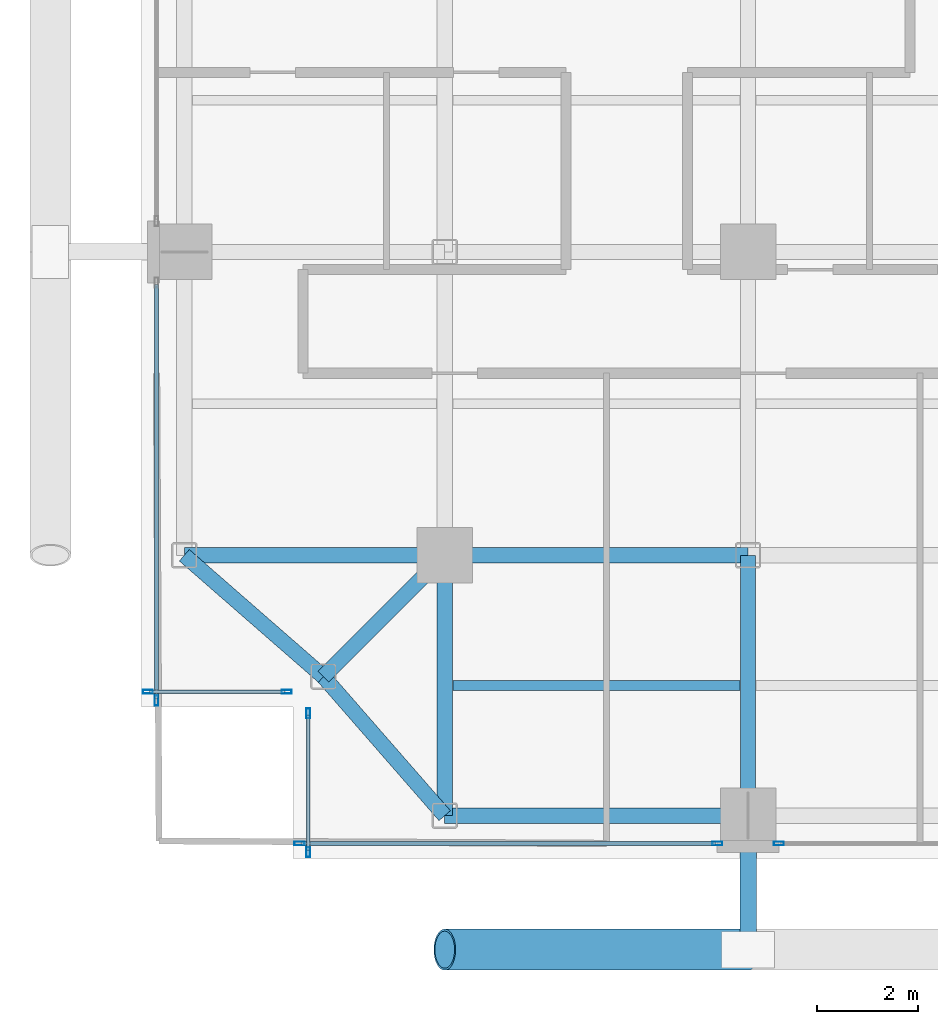
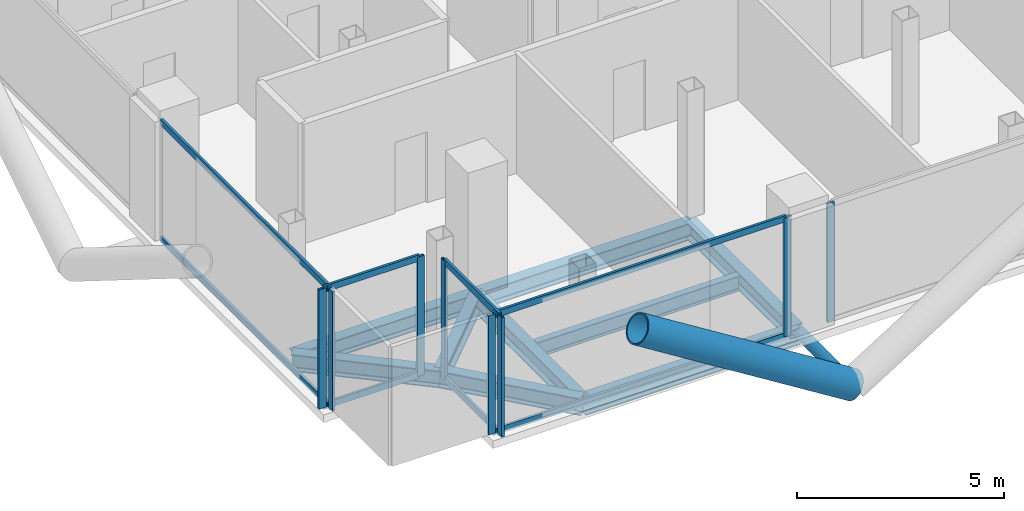
# One storey, part 2 of 28: 18 members, 9 beams, 5 elements without a shape of their own.
"""IFC4 building model written with IfcOpenShell, lengths in metres."""

from ifc_helpers import new_model, si_unit, direction, frame, origin, origin_2d, place, context, subcontext, project, spatial, hollow_rectangle, hollow_circle, i_section, extrude, material, layer, layer_set, material_profile, profile_set, type_object, element, aggregate, save


model = new_model("IFC4")

# Units and contexts
model_context = context("Model", 3, precision=1e-05, world=origin(), true_north=direction((0.0, 1.0)))
body_context = subcontext(model_context, "Body", "Model", "MODEL_VIEW")
ifc_project = project(units=[si_unit("LENGTHUNIT", "METRE"), si_unit("AREAUNIT", "SQUARE_METRE"), si_unit("VOLUMEUNIT", "CUBIC_METRE"), si_unit("PLANEANGLEUNIT", "RADIAN"), si_unit("MASSUNIT", "GRAM", prefix="KILO"), si_unit("THERMODYNAMICTEMPERATUREUNIT", "KELVIN"), si_unit("POWERUNIT", "WATT")], contexts=[model_context])

# Site, building, storey
site_placement = place(None, origin())
site = spatial("IfcSite", under=ifc_project, at=site_placement, CompositionType="ELEMENT")
building_placement = place(site_placement, origin())
building = spatial("IfcBuilding", under=site, at=building_placement, Name="Svarakhadi Broadcast Tower", CompositionType="ELEMENT")
storey_placement = place(building_placement, frame((0.0, 0.0, 153.14990234375)))
storey = spatial("IfcBuildingStorey", under=building, at=storey_placement, Name="L37", CompositionType="ELEMENT", Elevation=153.14990234375)

# Beam
ifc_material_1 = material(Name="Steel S355J2 (IS 2062 E350C)", Category="steel")
ifc_material_profile_1 = material_profile(ifc_material_1, i_section(OverallWidth=0.18994140625, OverallDepth=0.449951171875, WebThickness=0.009521484375, FlangeThickness=0.0146484375, FilletRadius=0.02099609375, at=origin_2d()), Name="NPB 450x190x78")
ifc_profile_set_1 = profile_set([ifc_material_profile_1], Name="Steel S355J2 (IS 2062 E350C)")
beam_type_1 = type_object("IfcBeamType", Name="Beam_NPB450", PredefinedType="BEAM", material=ifc_profile_set_1)
beam_1_placement = place(storey_placement, frame((6.159912109375, 3.425048828125, -0.449951171875), z_axis=(1.0, 0.0, 0.0), x_axis=(0.0, 1.0, 0.0)))
element("IfcBeam", 1, at=beam_1_placement, inside=storey, type_object=beam_type_1, Name="L37 Secondary Composite Beam SB006", PredefinedType="BEAM", context=body_context, shape_type="SweptSolid", body=[
    extrude(i_section(OverallWidth=0.18994140625, OverallDepth=0.449951171875, WebThickness=0.009521484375, FlangeThickness=0.0146484375, FilletRadius=0.02099609375, at=origin_2d()), origin(), (0.0, 0.0, 1.0), 5.68017578125),
])

# Curtain wall, members
ifc_material_2 = material(Name="Anodised Bronze Aluminium AA 6063-T6", Category="aluminium")
ifc_layer = layer(ifc_material_2, 0.199951171875)
ifc_layer_set = layer_set([ifc_layer], Name="Anodised Bronze Aluminium AA 6063-T6")
curtain_wall_type = type_object("IfcCurtainWallType", Name="CW_Sys_03", PredefinedType="NOTDEFINED", material=ifc_layer_set)
curtain_wall_1_placement = place(storey_placement, origin())
curtain_wall_1 = element("IfcCurtainWall", 2, at=curtain_wall_1_placement, inside=storey, type_object=curtain_wall_type, Name="L37 Unitised Facade Curtain Wall 01", PredefinedType="NOTDEFINED")
ifc_material_profile_2 = material_profile(ifc_material_2, hollow_rectangle(XDim=0.074951171875, YDim=0.199951171875, WallThickness=0.005615234375, at=origin_2d()), Name="ALU MULLION 200x75x6")
ifc_profile_set_2 = profile_set([ifc_material_profile_2], Name="Anodised Bronze Aluminium AA 6063-T6")
member_type_1 = type_object("IfcMemberType", Name="CW_Sys_03_Mul", PredefinedType="MULLION", material=ifc_profile_set_2)
member_1_placement = place(storey_placement, frame((2.87255859375, 3.300048828125, 0.0), z_axis=(0.0, 0.0, 1.0), x_axis=(0.0, -1.0, 0.0)))
member_1 = element("IfcMember", 3, at=member_1_placement, type_object=member_type_1, Name="CW-03 mullion 1", PredefinedType="MULLION", context=body_context, shape_type="SweptSolid", body=[
    extrude(hollow_rectangle(XDim=0.074951171875, YDim=0.199951171875, WallThickness=0.005615234375, at=origin_2d()), origin(), (0.0, 0.0, 1.0), 3.525146484375),
])
member_2_placement = place(storey_placement, frame((0.12744140625, 3.300048828125, 0.0), z_axis=(0.0, 0.0, 1.0), x_axis=(0.0, -1.0, 0.0)))
member_2 = element("IfcMember", 4, at=member_2_placement, type_object=member_type_1, Name="CW-03 mullion 2", PredefinedType="MULLION", context=body_context, shape_type="SweptSolid", body=[
    extrude(hollow_rectangle(XDim=0.074951171875, YDim=0.199951171875, WallThickness=0.005615234375, at=origin_2d()), origin(), (0.0, 0.0, 1.0), 3.525146484375),
])

# Curtain wall, member
curtain_wall_2_placement = place(storey_placement, origin())
curtain_wall_2 = element("IfcCurtainWall", 5, at=curtain_wall_2_placement, inside=storey, type_object=curtain_wall_type, Name="L37 West Curtain Wall 02 Bay 1", PredefinedType="NOTDEFINED")
member_3_placement = place(storey_placement, frame((0.300048828125, 3.12744140625, 0.0), z_axis=(0.0, 0.0, 1.0), x_axis=(-1.0, 0.0, 0.0)))
member_3 = element("IfcMember", 6, at=member_3_placement, type_object=member_type_1, Name="CW-03 mullion 1", PredefinedType="MULLION", context=body_context, shape_type="SweptSolid", body=[
    extrude(hollow_rectangle(XDim=0.074951171875, YDim=0.199951171875, WallThickness=0.005615234375, at=origin_2d()), origin(), (0.0, 0.0, 1.0), 3.525146484375),
])

curtain_wall_3_placement = place(storey_placement, origin())
curtain_wall_3 = element("IfcCurtainWall", 7, at=curtain_wall_3_placement, inside=storey, type_object=curtain_wall_type, Name="L37 South Curtain Wall 17 Bay 3", PredefinedType="NOTDEFINED")
member_4_placement = place(storey_placement, frame((12.607421875, 0.300048828125, 0.0), z_axis=(0.0, 0.0, 1.0), x_axis=(0.0, -1.0, 0.0)))
member_4 = element("IfcMember", 8, at=member_4_placement, type_object=member_type_1, Name="CW-03 mullion 2", PredefinedType="MULLION", context=body_context, shape_type="SweptSolid", body=[
    extrude(hollow_rectangle(XDim=0.074951171875, YDim=0.199951171875, WallThickness=0.005615234375, at=origin_2d()), origin(), (0.0, 0.0, 1.0), 3.525146484375),
])
aggregate(curtain_wall_3, [member_4])

# Curtain wall, members
curtain_wall_4_placement = place(storey_placement, origin())
curtain_wall_4 = element("IfcCurtainWall", 9, at=curtain_wall_4_placement, inside=storey, type_object=curtain_wall_type, Name="L37 South Curtain Wall 17 Bay 4", PredefinedType="NOTDEFINED")
member_5_placement = place(storey_placement, frame((11.392578125, 0.300048828125, 0.0), z_axis=(0.0, 0.0, 1.0), x_axis=(0.0, -1.0, 0.0)))
member_5 = element("IfcMember", 10, at=member_5_placement, type_object=member_type_1, Name="CW-03 mullion 1", PredefinedType="MULLION", context=body_context, shape_type="SweptSolid", body=[
    extrude(hollow_rectangle(XDim=0.074951171875, YDim=0.199951171875, WallThickness=0.005615234375, at=origin_2d()), origin(), (0.0, 0.0, 1.0), 3.525146484375),
])
member_6_placement = place(storey_placement, frame((3.12744140625, 0.300048828125, 0.0), z_axis=(0.0, 0.0, 1.0), x_axis=(0.0, -1.0, 0.0)))
member_6 = element("IfcMember", 11, at=member_6_placement, type_object=member_type_1, Name="CW-03 mullion 2", PredefinedType="MULLION", context=body_context, shape_type="SweptSolid", body=[
    extrude(hollow_rectangle(XDim=0.074951171875, YDim=0.199951171875, WallThickness=0.005615234375, at=origin_2d()), origin(), (0.0, 0.0, 1.0), 3.525146484375),
])

curtain_wall_5_placement = place(storey_placement, origin())
curtain_wall_5 = element("IfcCurtainWall", 12, at=curtain_wall_5_placement, inside=storey, type_object=curtain_wall_type, Name="L37 Unitised Facade Curtain Wall 18", PredefinedType="NOTDEFINED")
member_7_placement = place(storey_placement, frame((3.300048828125, 0.12744140625, 0.0), z_axis=(0.0, 0.0, 1.0), x_axis=(-1.0, 0.0, 0.0)))
member_7 = element("IfcMember", 13, at=member_7_placement, type_object=member_type_1, Name="CW-03 mullion 1", PredefinedType="MULLION", context=body_context, shape_type="SweptSolid", body=[
    extrude(hollow_rectangle(XDim=0.074951171875, YDim=0.199951171875, WallThickness=0.005615234375, at=origin_2d()), origin(), (0.0, 0.0, 1.0), 3.525146484375),
])
member_8_placement = place(storey_placement, frame((3.300048828125, 2.87255859375, 0.0), z_axis=(0.0, 0.0, 1.0), x_axis=(-1.0, 0.0, 0.0)))
member_8 = element("IfcMember", 14, at=member_8_placement, type_object=member_type_1, Name="CW-03 mullion 2", PredefinedType="MULLION", context=body_context, shape_type="SweptSolid", body=[
    extrude(hollow_rectangle(XDim=0.074951171875, YDim=0.199951171875, WallThickness=0.005615234375, at=origin_2d()), origin(), (0.0, 0.0, 1.0), 3.525146484375),
])

# Member
ifc_material_profile_3 = material_profile(ifc_material_2, hollow_rectangle(XDim=0.070068359375, YDim=0.18505859375, WallThickness=0.0048828125, at=origin_2d()), Name="ALU TRANSOM 185x70x5")
ifc_profile_set_3 = profile_set([ifc_material_profile_3], Name="Anodised Bronze Aluminium AA 6063-T6")
member_type_2 = type_object("IfcMemberType", Name="CW_Sys_03_Trn", PredefinedType="USERDEFINED", material=ifc_profile_set_3)
member_9_placement = place(storey_placement, frame((2.8349609375, 3.300048828125, 0.03515625), z_axis=(-1.0, 0.0, 0.0), x_axis=(0.0, -1.0, 0.0)))
member_9 = element("IfcMember", 15, at=member_9_placement, type_object=member_type_2, Name="CW-03 transom 1.1", ObjectType="TRANSOM", PredefinedType="USERDEFINED", context=body_context, shape_type="SweptSolid", body=[
    extrude(hollow_rectangle(XDim=0.070068359375, YDim=0.18505859375, WallThickness=0.0048828125, at=origin_2d()), origin(), (0.0, 0.0, 1.0), 2.669921875),
])

member_10_placement = place(storey_placement, frame((2.8349609375, 3.300048828125, 3.489990234375), z_axis=(-1.0, 0.0, 0.0), x_axis=(0.0, -1.0, 0.0)))
member_10 = element("IfcMember", 16, at=member_10_placement, type_object=member_type_2, Name="CW-03 transom 1.2", ObjectType="TRANSOM", PredefinedType="USERDEFINED", context=body_context, shape_type="SweptSolid", body=[
    extrude(hollow_rectangle(XDim=0.070068359375, YDim=0.18505859375, WallThickness=0.0048828125, at=origin_2d()), origin(), (0.0, 0.0, 1.0), 2.669921875),
])

aggregate(curtain_wall_1, [member_1, member_2, member_9, member_10])

member_11_placement = place(storey_placement, frame((0.300048828125, 3.1650390625, 0.03515625), z_axis=(0.0, 1.0, 0.0), x_axis=(-1.0, 0.0, 0.0)))
member_11 = element("IfcMember", 17, at=member_11_placement, type_object=member_type_2, Name="CW-03 transom 1.1", ObjectType="TRANSOM", PredefinedType="USERDEFINED", context=body_context, shape_type="SweptSolid", body=[
    extrude(hollow_rectangle(XDim=0.070068359375, YDim=0.18505859375, WallThickness=0.0048828125, at=origin_2d()), origin(), (0.0, 0.0, 1.0), 8.18994140625),
])

member_12_placement = place(storey_placement, frame((0.300048828125, 3.1650390625, 3.489990234375), z_axis=(0.0, 1.0, 0.0), x_axis=(-1.0, 0.0, 0.0)))
member_12 = element("IfcMember", 18, at=member_12_placement, type_object=member_type_2, Name="CW-03 transom 1.2", ObjectType="TRANSOM", PredefinedType="USERDEFINED", context=body_context, shape_type="SweptSolid", body=[
    extrude(hollow_rectangle(XDim=0.070068359375, YDim=0.18505859375, WallThickness=0.0048828125, at=origin_2d()), origin(), (0.0, 0.0, 1.0), 8.18994140625),
])

aggregate(curtain_wall_2, [member_3, member_11, member_12])

member_13_placement = place(storey_placement, frame((11.35498046875, 0.300048828125, 0.03515625), z_axis=(-1.0, 0.0, 0.0), x_axis=(0.0, -1.0, 0.0)))
member_13 = element("IfcMember", 19, at=member_13_placement, type_object=member_type_2, Name="CW-03 transom 1.1", ObjectType="TRANSOM", PredefinedType="USERDEFINED", context=body_context, shape_type="SweptSolid", body=[
    extrude(hollow_rectangle(XDim=0.070068359375, YDim=0.18505859375, WallThickness=0.0048828125, at=origin_2d()), origin(), (0.0, 0.0, 1.0), 8.18994140625),
])

member_14_placement = place(storey_placement, frame((11.35498046875, 0.300048828125, 3.489990234375), z_axis=(-1.0, 0.0, 0.0), x_axis=(0.0, -1.0, 0.0)))
member_14 = element("IfcMember", 20, at=member_14_placement, type_object=member_type_2, Name="CW-03 transom 1.2", ObjectType="TRANSOM", PredefinedType="USERDEFINED", context=body_context, shape_type="SweptSolid", body=[
    extrude(hollow_rectangle(XDim=0.070068359375, YDim=0.18505859375, WallThickness=0.0048828125, at=origin_2d()), origin(), (0.0, 0.0, 1.0), 8.18994140625),
])

aggregate(curtain_wall_4, [member_5, member_6, member_13, member_14])

member_15_placement = place(storey_placement, frame((3.300048828125, 0.1650390625, 0.03515625), z_axis=(0.0, 1.0, 0.0), x_axis=(-1.0, 0.0, 0.0)))
member_15 = element("IfcMember", 21, at=member_15_placement, type_object=member_type_2, Name="CW-03 transom 1.1", ObjectType="TRANSOM", PredefinedType="USERDEFINED", context=body_context, shape_type="SweptSolid", body=[
    extrude(hollow_rectangle(XDim=0.070068359375, YDim=0.18505859375, WallThickness=0.0048828125, at=origin_2d()), origin(), (0.0, 0.0, 1.0), 2.669921875),
])

member_16_placement = place(storey_placement, frame((3.300048828125, 0.1650390625, 3.489990234375), z_axis=(0.0, 1.0, 0.0), x_axis=(-1.0, 0.0, 0.0)))
member_16 = element("IfcMember", 22, at=member_16_placement, type_object=member_type_2, Name="CW-03 transom 1.2", ObjectType="TRANSOM", PredefinedType="USERDEFINED", context=body_context, shape_type="SweptSolid", body=[
    extrude(hollow_rectangle(XDim=0.070068359375, YDim=0.18505859375, WallThickness=0.0048828125, at=origin_2d()), origin(), (0.0, 0.0, 1.0), 2.669921875),
])

aggregate(curtain_wall_5, [member_7, member_8, member_15, member_16])

# Members
ifc_material_3 = material(Name="Steel S460ML (IS 2062 E450BR)", Category="steel")
ifc_material_profile_4 = material_profile(ifc_material_3, hollow_circle(Radius=0.406494140625, WallThickness=0.0400390625, at=origin_2d()), Name="CHS 813x40")
ifc_profile_set_4 = profile_set([ifc_material_profile_4], Name="Steel S460ML (IS 2062 E450BR)")
member_type_3 = type_object("IfcMemberType", Name="Exo_Brace_CHS813", PredefinedType="BRACE", material=ifc_profile_set_4)
member_17_placement = place(storey_placement, frame((12.0, -1.800048828125, -0.386962890625), z_axis=(-0.847998304005, 0.0, 0.529998940003), x_axis=(0.0, -1.0, 0.0)))
element("IfcMember", 23, at=member_17_placement, inside=storey, type_object=member_type_3, Name="L37 Exposed Bronze Exoskeleton Diagonal S01", PredefinedType="BRACE", context=body_context, shape_type="SweptSolid", body=[
    extrude(hollow_circle(Radius=0.406494140625, WallThickness=0.0400390625, at=origin_2d()), origin(), (0.0, 0.0, 1.0), 7.075439453125),
])
ifc_material_profile_5 = material_profile(ifc_material_3, hollow_circle(Radius=0.161865234375, WallThickness=0.01611328125, at=origin_2d()), Name="CHS 323.9x16")
ifc_profile_set_5 = profile_set([ifc_material_profile_5], Name="Steel S460ML (IS 2062 E450BR)")
member_type_4 = type_object("IfcMemberType", Name="Exo_Radial_Strut_Z2", PredefinedType="STRUT", material=ifc_profile_set_5)
member_18_placement = place(storey_placement, frame((12.0, -1.800048828125, -0.386962890625), z_axis=(0.0, 1.0, 0.0), x_axis=(-1.0, 0.0, 0.0)))
element("IfcMember", 24, at=member_18_placement, inside=storey, type_object=member_type_4, Name="L37 Exoskeleton Radial Tie Strut S01", PredefinedType="STRUT", context=body_context, shape_type="SweptSolid", body=[
    extrude(hollow_circle(Radius=0.161865234375, WallThickness=0.01611328125, at=origin_2d()), origin(), (0.0, 0.0, 1.0), 2.650146484375),
])

# Beams
ifc_material_profile_6 = material_profile(ifc_material_1, i_section(OverallWidth=0.300048828125, OverallDepth=0.5, WebThickness=0.014404296875, FlangeThickness=0.028076171875, FilletRadius=0.027099609375, at=origin_2d()), Name="WPB 500x300x187")
ifc_profile_set_6 = profile_set([ifc_material_profile_6], Name="Steel S355J2 (IS 2062 E350C)")
beam_type_2 = type_object("IfcBeamType", Name="Girder_WPB500", PredefinedType="USERDEFINED", material=ifc_profile_set_6)
beam_2_placement = place(storey_placement, frame((3.60009765625, 3.60009765625, -0.474853515625), z_axis=(0.707106781187, 0.707106781187, 0.0), x_axis=(-0.707106781187, 0.707106781187, 0.0)))
element("IfcBeam", 25, at=beam_2_placement, inside=storey, type_object=beam_type_2, Name="L37 Corner Tie Girder G001", ObjectType="GIRDER", PredefinedType="USERDEFINED", context=body_context, shape_type="SweptSolid", body=[
    extrude(i_section(OverallWidth=0.300048828125, OverallDepth=0.5, WebThickness=0.014404296875, FlangeThickness=0.028076171875, FilletRadius=0.027099609375, at=origin_2d()), origin(), (0.0, 0.0, 1.0), 3.39404296875),
])
for number, where, z_axis, x_axis, name in (
    (26, (3.60009765625, 3.60009765625, -0.474853515625), (-0.753437912176, 0.657519058655, 0.0), (-0.657519058655, -0.753437912176, 0.0), "L37 Corner Tie Girder G002"),
    (27, (3.60009765625, 3.60009765625, -0.474853515625), (0.657519058655, -0.753437912176, 0.0), (0.753437912176, 0.657519058655, 0.0), "L37 Corner Tie Girder G003"),
):
    element("IfcBeam", number, at=place(storey_placement, frame(where, z_axis=z_axis, x_axis=x_axis)), inside=storey, type_object=beam_type_2, Name=name, ObjectType="GIRDER", PredefinedType="USERDEFINED", context=body_context, shape_type="SweptSolid", body=[
        extrude(i_section(OverallWidth=0.300048828125, OverallDepth=0.5, WebThickness=0.014404296875, FlangeThickness=0.028076171875, FilletRadius=0.027099609375, at=origin_2d()), origin(), (0.0, 0.0, 1.0), 3.64990234375),
    ])
beam_3_placement = place(storey_placement, frame((6.0, 0.85009765625, -0.474853515625), z_axis=(1.0, 0.0, 0.0), x_axis=(0.0, 1.0, 0.0)))
element("IfcBeam", 28, at=beam_3_placement, inside=storey, type_object=beam_type_2, Name="L37 Primary E-W Girder G004", ObjectType="GIRDER", PredefinedType="USERDEFINED", context=body_context, shape_type="SweptSolid", body=[
    extrude(i_section(OverallWidth=0.300048828125, OverallDepth=0.5, WebThickness=0.014404296875, FlangeThickness=0.028076171875, FilletRadius=0.027099609375, at=origin_2d()), origin(), (0.0, 0.0, 1.0), 6.0),
])
beam_4_placement = place(storey_placement, frame((0.85009765625, 6.0, -0.474853515625), z_axis=(1.0, 0.0, 0.0), x_axis=(0.0, 1.0, 0.0)))
element("IfcBeam", 29, at=beam_4_placement, inside=storey, type_object=beam_type_2, Name="L37 Primary E-W Girder G010", ObjectType="GIRDER", PredefinedType="USERDEFINED", context=body_context, shape_type="SweptSolid", body=[
    extrude(i_section(OverallWidth=0.300048828125, OverallDepth=0.5, WebThickness=0.014404296875, FlangeThickness=0.028076171875, FilletRadius=0.027099609375, at=origin_2d()), origin(), (0.0, 0.0, 1.0), 5.14990234375),
])
beam_5_placement = place(storey_placement, frame((6.0, 6.0, -0.474853515625), z_axis=(1.0, 0.0, 0.0), x_axis=(0.0, 1.0, 0.0)))
element("IfcBeam", 30, at=beam_5_placement, inside=storey, type_object=beam_type_2, Name="L37 Primary E-W Girder G011", ObjectType="GIRDER", PredefinedType="USERDEFINED", context=body_context, shape_type="SweptSolid", body=[
    extrude(i_section(OverallWidth=0.300048828125, OverallDepth=0.5, WebThickness=0.014404296875, FlangeThickness=0.028076171875, FilletRadius=0.027099609375, at=origin_2d()), origin(), (0.0, 0.0, 1.0), 6.0),
])
for number, where, z_axis, x_axis, name in (
    (31, (6.0, 0.85009765625, -0.474853515625), (0.0, 1.0, 0.0), (-1.0, 0.0, 0.0), "L37 Primary N-S Girder G045"),
    (32, (12.0, 0.85009765625, -0.474853515625), (0.0, 1.0, 0.0), (-1.0, 0.0, 0.0), "L37 Primary N-S Girder G051"),
):
    element("IfcBeam", number, at=place(storey_placement, frame(where, z_axis=z_axis, x_axis=x_axis)), inside=storey, type_object=beam_type_2, Name=name, ObjectType="GIRDER", PredefinedType="USERDEFINED", context=body_context, shape_type="SweptSolid", body=[
        extrude(i_section(OverallWidth=0.300048828125, OverallDepth=0.5, WebThickness=0.014404296875, FlangeThickness=0.028076171875, FilletRadius=0.027099609375, at=origin_2d()), origin(), (0.0, 0.0, 1.0), 5.14990234375),
    ])

save(model, "model.ifc")
